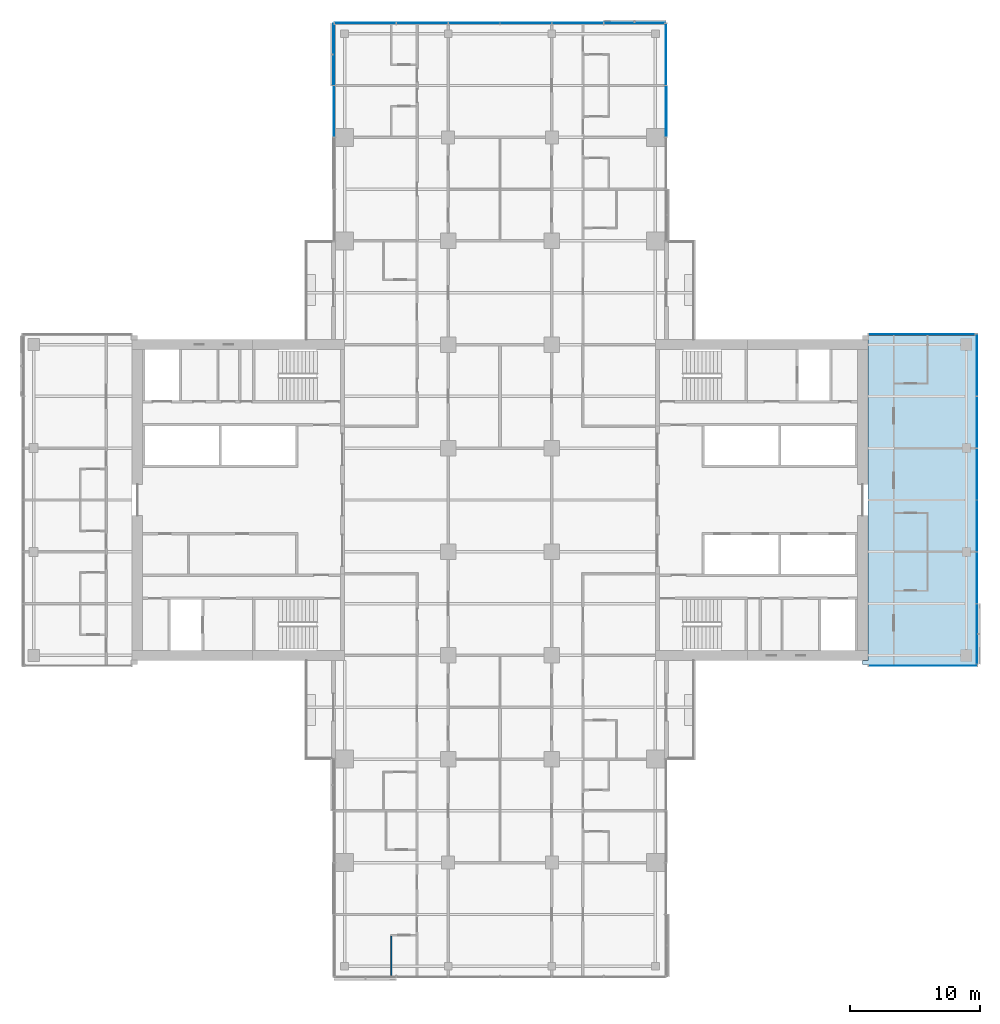
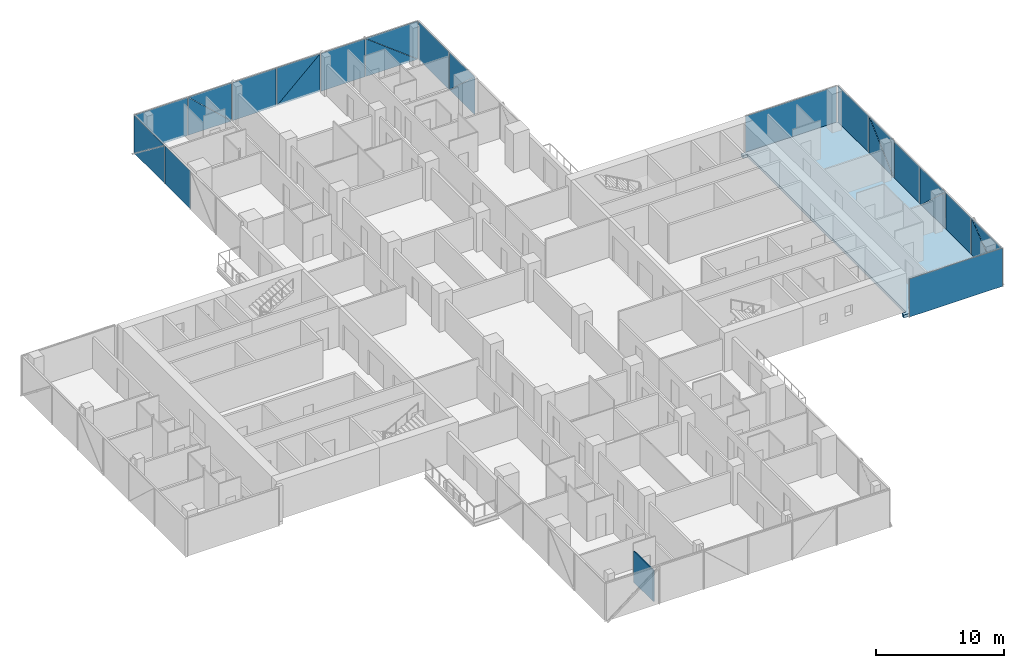
# One storey, part 14 of 27: 26 plates, 1 slab, 1 wall, 6 elements without a shape of their own.
"""IFC4 building model written with IfcOpenShell, lengths in metres."""

from ifc_helpers import new_model, si_unit, direction, frame, frame_2d, origin, place, context, subcontext, project, spatial, polyline, rectangle, outline, extrude, material, layer, layer_set, type_object, element, aggregate, save


model = new_model("IFC4")

# Units and contexts
model_context = context("Model", 3, precision=1e-05, world=origin(), true_north=direction((0.0, 1.0)))
body_context = subcontext(model_context, "Body", "Model", "MODEL_VIEW")
ifc_project = project(units=[si_unit("LENGTHUNIT", "METRE"), si_unit("AREAUNIT", "SQUARE_METRE"), si_unit("VOLUMEUNIT", "CUBIC_METRE"), si_unit("PLANEANGLEUNIT", "RADIAN"), si_unit("MASSUNIT", "GRAM", prefix="KILO")], contexts=[model_context])

# Site, building, storey
site_placement = place(None, origin())
site = spatial("IfcSite", under=ifc_project, at=site_placement, CompositionType="ELEMENT")
building_placement = place(site_placement, origin())
building = spatial("IfcBuilding", under=site, at=building_placement, Name="Crosswind Convention Tower", CompositionType="ELEMENT")
storey_placement = place(building_placement, frame((0.0, 0.0, 79.39990234375)))
storey = spatial("IfcBuildingStorey", under=building, at=storey_placement, Name="L14", CompositionType="ELEMENT", Elevation=79.39990234375)

# Slab
ifc_material_1 = material(Name="Concrete C40/50", Category="concrete")
ifc_layer_1 = layer(ifc_material_1, 0.280029296875)
ifc_layer_set_1 = layer_set([ifc_layer_1], Name="Concrete C40/50")
slab_type = type_object("IfcSlabType", Name="Composite floor slab 280", PredefinedType="FLOOR", material=ifc_layer_set_1)
slab_placement = place(storey_placement, frame((0.0, 0.0, -0.27978515625)))
element("IfcSlab", 1, at=slab_placement, inside=storey, type_object=slab_type, Name="Floor slab L14 part 3", PredefinedType="FLOOR", context=body_context, shape_type="SweptSolid", body=[
    extrude(outline(polyline([(153.0, 112.699951171875), (161.0, 112.699951171875), (161.699951171875, 112.699951171875), (161.699951171875, 112.0), (161.699951171875, 88.0), (161.699951171875, 87.300048828125), (161.0, 87.300048828125), (153.0, 87.300048828125), (153.0, 87.60009765625), (153.39990234375, 87.60009765625), (153.39990234375, 112.39990234375), (153.0, 112.39990234375), (153.0, 112.699951171875)])), origin(), (0.0, 0.0, 1.0), 0.27978515625),
])

# Curtain wall, plate
ifc_material_2 = material(Name="Aluminium unitised curtain wall", Category="aluminium")
curtain_wall_type_1 = type_object("IfcCurtainWallType", Name="CORE END SLOT WALL 160", PredefinedType="USERDEFINED", material=ifc_material_2)
curtain_wall_1_placement = place(storey_placement, origin())
curtain_wall_1 = element("IfcCurtainWall", 2, at=curtain_wall_1_placement, inside=storey, type_object=curtain_wall_type_1, Name="CW6 L14 E-N.1-1 slot", ObjectType="UNITISED", PredefinedType="USERDEFINED")
ifc_material_3 = material(Name="Laminated insulating glass unit", Category="glass")
ifc_layer_2 = layer(ifc_material_3, 0.02587890625)
ifc_layer_set_2 = layer_set([ifc_layer_2], Name="TRIANGULAR GLASS PANEL 26")
plate_type_1 = type_object("IfcPlateType", Name="TRIANGULAR GLASS PANEL 26", PredefinedType="CURTAIN_PANEL", material=ifc_layer_set_2)
plate_1_placement = place(storey_placement, frame((161.64990234375, 112.806640625, -0.27978515625), z_axis=(0.0, 0.999999919464, 0.00040133776), x_axis=(-1.0, 0.0, 0.0)))
plate_1 = element("IfcPlate", 3, at=plate_1_placement, type_object=plate_type_1, Name="CW6 panel 1.1", PredefinedType="CURTAIN_PANEL", context=body_context, shape_type="SweptSolid", body=[
    extrude(outline(polyline([(0.0, 0.0), (8.199951171875, 0.0), (8.199951171875, 3.6499026376985664), (0.0, 3.6499026376985664), (0.0, 0.0)])), origin(), (0.0, 0.0, -1.0), 0.02587890625),
])
aggregate(curtain_wall_1, [plate_1])

curtain_wall_2_placement = place(storey_placement, origin())
curtain_wall_2 = element("IfcCurtainWall", 4, at=curtain_wall_2_placement, inside=storey, type_object=curtain_wall_type_1, Name="CW6 L14 E-S.2-1 slot", ObjectType="UNITISED", PredefinedType="USERDEFINED")
plate_2_placement = place(storey_placement, frame((153.449951171875, 87.193359375, -0.27978515625), z_axis=(0.0, -0.999999919464, 0.00040133776), x_axis=(1.0, 0.0, 0.0)))
plate_2 = element("IfcPlate", 5, at=plate_2_placement, type_object=plate_type_1, Name="CW6 panel 1.1", PredefinedType="CURTAIN_PANEL", context=body_context, shape_type="SweptSolid", body=[
    extrude(outline(polyline([(0.0, 0.0), (8.400146484375, 0.0), (8.400146484375, 3.649902637698567), (0.0, 3.649902637698567), (0.0, 0.0)])), origin(), (0.0, 0.0, -1.0), 0.02587890625),
])
aggregate(curtain_wall_2, [plate_2])

# Curtain wall, plates
curtain_wall_type_2 = type_object("IfcCurtainWallType", Name="HOTEL UNITISED WALL 200", PredefinedType="USERDEFINED", material=ifc_material_2)
curtain_wall_3_placement = place(storey_placement, origin())
curtain_wall_3 = element("IfcCurtainWall", 6, at=curtain_wall_3_placement, inside=storey, type_object=curtain_wall_type_2, Name="CW2 L14 E-TIP 1", ObjectType="UNITISED", PredefinedType="USERDEFINED")
ifc_layer_3 = layer(ifc_material_3, 0.028076171875)
ifc_layer_set_3 = layer_set([ifc_layer_3], Name="TRIANGULAR GLASS PANEL 28")
plate_type_2 = type_object("IfcPlateType", Name="TRIANGULAR GLASS PANEL 28", PredefinedType="CURTAIN_PANEL", material=ifc_layer_set_3)
plate_3_placement = place(storey_placement, frame((161.82861328125, 91.967529296875, -0.27978515625), z_axis=(0.999999943209, 0.0, 0.000337018045), x_axis=(-0.000337018045, 0.0, 0.999999943209)))
plate_3 = element("IfcPlate", 7, at=plate_3_placement, type_object=plate_type_2, Name="CW2 panel 1.1", PredefinedType="CURTAIN_PANEL", context=body_context, shape_type="SweptSolid", body=[
    extrude(outline(polyline([(0.0, 0.0), (3.622070518199496, 0.0), (0.0, 4.58642578125), (0.0, 0.0)])), origin(), (0.0, 0.0, -1.0), 0.028076171875),
])
plate_4_placement = place(storey_placement, frame((161.857177734375, 87.364990234375, 3.35498046875), z_axis=(0.999999918222, 0.0, 0.000404421644), x_axis=(0.000404421644, 0.0, -0.999999918222)))
plate_4 = element("IfcPlate", 8, at=plate_4_placement, type_object=plate_type_2, Name="CW2 panel 1.2", PredefinedType="CURTAIN_PANEL", context=body_context, shape_type="SweptSolid", body=[
    extrude(outline(polyline([(0.0, 0.0), (3.6220706087072707, 0.0), (0.0, 4.586425781249999), (0.0, 0.0)])), origin(), (0.0, 0.0, -1.0), 0.028076171875),
])
plate_5_placement = place(storey_placement, frame((161.82861328125, 92.032470703125, -0.27978515625), z_axis=(0.999999943605, 0.0, 0.000335840927), x_axis=(0.0, 1.0, 0.0)))
plate_5 = element("IfcPlate", 9, at=plate_5_placement, type_object=plate_type_2, Name="CW2 panel 2.1", PredefinedType="CURTAIN_PANEL", context=body_context, shape_type="SweptSolid", body=[
    extrude(outline(polyline([(0.0, 0.0), (3.93505859375, 0.0), (3.93505859375, 3.63476582998104), (0.0, 3.63476582998104), (0.0, 0.0)])), origin(), (0.0, 0.0, -1.0), 0.028076171875),
])
plate_6_placement = place(storey_placement, frame((161.827392578125, 99.967529296875, 3.35498046875), z_axis=(0.999999943186, 0.0, 0.000337086208), x_axis=(0.0, -1.0, 0.0)))
plate_6 = element("IfcPlate", 10, at=plate_6_placement, type_object=plate_type_2, Name="CW2 panel 3.1", PredefinedType="CURTAIN_PANEL", context=body_context, shape_type="SweptSolid", body=[
    extrude(outline(polyline([(0.0, 0.0), (3.92041015625, 0.0), (0.0, 3.6213380963660997), (0.0, 0.0)])), origin(), (0.0, 0.0, -1.0), 0.028076171875),
])
plate_7_placement = place(storey_placement, frame((161.858642578125, 96.032470703125, -0.27978515625), z_axis=(0.999999918188, 0.0, 0.000404503439), x_axis=(0.0, 1.0, 0.0)))
plate_7 = element("IfcPlate", 11, at=plate_7_placement, type_object=plate_type_2, Name="CW2 panel 3.2", PredefinedType="CURTAIN_PANEL", context=body_context, shape_type="SweptSolid", body=[
    extrude(outline(polyline([(0.0, 0.0), (3.92041015625, 0.0), (0.0, 3.6213381868921792), (0.0, 0.0)])), origin(), (0.0, 0.0, -1.0), 0.028076171875),
])
plate_8_placement = place(storey_placement, frame((161.82861328125, 100.032470703125, -0.27978515625), z_axis=(0.999999943605, 0.0, 0.000335840927), x_axis=(0.0, 1.0, 0.0)))
plate_8 = element("IfcPlate", 12, at=plate_8_placement, type_object=plate_type_2, Name="CW2 panel 4.1", PredefinedType="CURTAIN_PANEL", context=body_context, shape_type="SweptSolid", body=[
    extrude(outline(polyline([(0.0, 0.0), (3.93505859375, 0.0), (3.93505859375, 3.63476582998104), (0.0, 3.63476582998104), (0.0, 0.0)])), origin(), (0.0, 0.0, -1.0), 0.028076171875),
])
plate_9_placement = place(storey_placement, frame((161.82861328125, 107.967529296875, -0.27978515625), z_axis=(0.999999943186, 0.0, 0.000337086208), x_axis=(-0.000337086208, 0.0, 0.999999943186)))
plate_9 = element("IfcPlate", 13, at=plate_9_placement, type_object=plate_type_2, Name="CW2 panel 5.1", PredefinedType="CURTAIN_PANEL", context=body_context, shape_type="SweptSolid", body=[
    extrude(outline(polyline([(0.0, 0.0), (3.6213380963660997, 0.0), (0.0, 3.920410156250001), (0.0, 0.0)])), origin(), (0.0, 0.0, -1.0), 0.028076171875),
])
plate_10_placement = place(storey_placement, frame((161.857177734375, 104.032470703125, 3.35498046875), z_axis=(0.999999918188, 0.0, 0.000404503439), x_axis=(0.000404503439, 0.0, -0.999999918188)))
plate_10 = element("IfcPlate", 14, at=plate_10_placement, type_object=plate_type_2, Name="CW2 panel 5.2", PredefinedType="CURTAIN_PANEL", context=body_context, shape_type="SweptSolid", body=[
    extrude(outline(polyline([(0.0, 0.0), (3.6213381868921797, 0.0), (0.0, 3.92041015625), (0.0, 0.0)])), origin(), (0.0, 0.0, -1.0), 0.028076171875),
])
plate_11_placement = place(storey_placement, frame((161.82861328125, 108.032470703125, -0.27978515625), z_axis=(0.999999943605, 0.0, 0.000335840927), x_axis=(0.0, 1.0, 0.0)))
plate_11 = element("IfcPlate", 15, at=plate_11_placement, type_object=plate_type_2, Name="CW2 panel 6.1", PredefinedType="CURTAIN_PANEL", context=body_context, shape_type="SweptSolid", body=[
    extrude(outline(polyline([(0.0, 0.0), (4.762451171875, 0.0), (4.762451171875, 3.63476582998104), (0.0, 3.63476582998104), (0.0, 0.0)])), origin(), (0.0, 0.0, -1.0), 0.028076171875),
])
aggregate(curtain_wall_3, [plate_3, plate_4, plate_5, plate_6, plate_7, plate_8, plate_9, plate_10, plate_11])

curtain_wall_4_placement = place(storey_placement, origin())
curtain_wall_4 = element("IfcCurtainWall", 16, at=curtain_wall_4_placement, inside=storey, type_object=curtain_wall_type_2, Name="CW2 L14 N-E 1", ObjectType="UNITISED", PredefinedType="USERDEFINED")
plate_12_placement = place(storey_placement, frame((137.827392578125, 131.967529296875, 3.35498046875), z_axis=(0.999999943186, 0.0, 0.000337086208), x_axis=(0.0, -1.0, 0.0)))
plate_12 = element("IfcPlate", 17, at=plate_12_placement, type_object=plate_type_2, Name="CW2 panel 3.1", PredefinedType="CURTAIN_PANEL", context=body_context, shape_type="SweptSolid", body=[
    extrude(outline(polyline([(0.0, 0.0), (3.92041015625, 0.0), (0.0, 3.6213380963660997), (0.0, 0.0)])), origin(), (0.0, 0.0, -1.0), 0.028076171875),
])
plate_13_placement = place(storey_placement, frame((137.858642578125, 128.032470703125, -0.27978515625), z_axis=(0.999999918188, 0.0, 0.000404503439), x_axis=(0.0, 1.0, 0.0)))
plate_13 = element("IfcPlate", 18, at=plate_13_placement, type_object=plate_type_2, Name="CW2 panel 3.2", PredefinedType="CURTAIN_PANEL", context=body_context, shape_type="SweptSolid", body=[
    extrude(outline(polyline([(0.0, 0.0), (3.92041015625, 0.0), (0.0, 3.6213381868921792), (0.0, 0.0)])), origin(), (0.0, 0.0, -1.0), 0.028076171875),
])
plate_14_placement = place(storey_placement, frame((137.82861328125, 132.032470703125, -0.27978515625), z_axis=(0.999999943605, 0.0, 0.000335840927), x_axis=(0.0, 1.0, 0.0)))
plate_14 = element("IfcPlate", 19, at=plate_14_placement, type_object=plate_type_2, Name="CW2 panel 4.1", PredefinedType="CURTAIN_PANEL", context=body_context, shape_type="SweptSolid", body=[
    extrude(outline(polyline([(0.0, 0.0), (4.735107421875, 0.0), (4.735107421875, 3.63476582998104), (0.0, 3.63476582998104), (0.0, 0.0)])), origin(), (0.0, 0.0, -1.0), 0.028076171875),
])
aggregate(curtain_wall_4, [plate_12, plate_13, plate_14])

curtain_wall_5_placement = place(storey_placement, origin())
curtain_wall_5 = element("IfcCurtainWall", 20, at=curtain_wall_5_placement, inside=storey, type_object=curtain_wall_type_2, Name="CW2 L14 N-TIP 1", ObjectType="UNITISED", PredefinedType="USERDEFINED")
plate_15_placement = place(storey_placement, frame((133.032470703125, 136.82861328125, -0.27978515625), z_axis=(0.0, 0.999999943217, 0.00033699533), x_axis=(0.0, -0.00033699533, 0.999999943217)))
plate_15 = element("IfcPlate", 21, at=plate_15_placement, type_object=plate_type_2, Name="CW2 panel 1.1", PredefinedType="CURTAIN_PANEL", context=body_context, shape_type="SweptSolid", body=[
    extrude(outline(polyline([(0.0, 0.0), (3.6223146588106325, 0.0), (0.0, 4.718505859374999), (0.0, 0.0)])), origin(), (0.0, 0.0, -1.0), 0.028076171875),
])
plate_16_placement = place(storey_placement, frame((137.767578125, 136.857177734375, 3.35498046875), z_axis=(0.0, 0.999999918233, 0.000404394386), x_axis=(0.0, 0.000404394386, -0.999999918233)))
plate_16 = element("IfcPlate", 22, at=plate_16_placement, type_object=plate_type_2, Name="CW2 panel 1.2", PredefinedType="CURTAIN_PANEL", context=body_context, shape_type="SweptSolid", body=[
    extrude(outline(polyline([(0.0, 0.0), (3.6223147493123067, 0.0), (0.0, 4.71875), (0.0, 0.0)])), origin(), (0.0, 0.0, -1.0), 0.028076171875),
])
plate_17_placement = place(storey_placement, frame((132.967529296875, 136.82861328125, -0.27978515625), z_axis=(0.0, 0.999999943605, 0.000335840927), x_axis=(-1.0, 0.0, 0.0)))
plate_17 = element("IfcPlate", 23, at=plate_17_placement, type_object=plate_type_2, Name="CW2 panel 2.1", PredefinedType="CURTAIN_PANEL", context=body_context, shape_type="SweptSolid", body=[
    extrude(outline(polyline([(0.0, 0.0), (3.93505859375, 0.0), (3.93505859375, 3.63476582998104), (0.0, 3.63476582998104), (0.0, 0.0)])), origin(), (0.0, 0.0, -1.0), 0.028076171875),
])
plate_18_placement = place(storey_placement, frame((125.032470703125, 136.827392578125, 3.35498046875), z_axis=(0.0, 0.999999943186, 0.000337086208), x_axis=(1.0, 0.0, 0.0)))
plate_18 = element("IfcPlate", 24, at=plate_18_placement, type_object=plate_type_2, Name="CW2 panel 3.1", PredefinedType="CURTAIN_PANEL", context=body_context, shape_type="SweptSolid", body=[
    extrude(outline(polyline([(0.0, 0.0), (3.92041015625, 0.0), (0.0, 3.6213380963660997), (0.0, 0.0)])), origin(), (0.0, 0.0, -1.0), 0.028076171875),
])
plate_19_placement = place(storey_placement, frame((128.967529296875, 136.858642578125, -0.27978515625), z_axis=(0.0, 0.999999918188, 0.000404503439), x_axis=(-1.0, 0.0, 0.0)))
plate_19 = element("IfcPlate", 25, at=plate_19_placement, type_object=plate_type_2, Name="CW2 panel 3.2", PredefinedType="CURTAIN_PANEL", context=body_context, shape_type="SweptSolid", body=[
    extrude(outline(polyline([(0.0, 0.0), (3.92041015625, 0.0), (0.0, 3.6213381868921792), (0.0, 0.0)])), origin(), (0.0, 0.0, -1.0), 0.028076171875),
])
plate_20_placement = place(storey_placement, frame((124.967529296875, 136.82861328125, -0.27978515625), z_axis=(0.0, 0.999999943605, 0.000335840927), x_axis=(-1.0, 0.0, 0.0)))
plate_20 = element("IfcPlate", 26, at=plate_20_placement, type_object=plate_type_2, Name="CW2 panel 4.1", PredefinedType="CURTAIN_PANEL", context=body_context, shape_type="SweptSolid", body=[
    extrude(outline(polyline([(0.0, 0.0), (3.93505859375, 0.0), (3.93505859375, 3.63476582998104), (0.0, 3.63476582998104), (0.0, 0.0)])), origin(), (0.0, 0.0, -1.0), 0.028076171875),
])
plate_21_placement = place(storey_placement, frame((117.032470703125, 136.82861328125, -0.27978515625), z_axis=(0.0, 0.999999943186, 0.000337086208), x_axis=(0.0, -0.000337086208, 0.999999943186)))
plate_21 = element("IfcPlate", 27, at=plate_21_placement, type_object=plate_type_2, Name="CW2 panel 5.1", PredefinedType="CURTAIN_PANEL", context=body_context, shape_type="SweptSolid", body=[
    extrude(outline(polyline([(0.0, 0.0), (3.6213380963660997, 0.0), (0.0, 3.920410156250001), (0.0, 0.0)])), origin(), (0.0, 0.0, -1.0), 0.028076171875),
])
plate_22_placement = place(storey_placement, frame((120.967529296875, 136.857177734375, 3.35498046875), z_axis=(0.0, 0.999999918188, 0.000404503439), x_axis=(0.0, 0.000404503439, -0.999999918188)))
plate_22 = element("IfcPlate", 28, at=plate_22_placement, type_object=plate_type_2, Name="CW2 panel 5.2", PredefinedType="CURTAIN_PANEL", context=body_context, shape_type="SweptSolid", body=[
    extrude(outline(polyline([(0.0, 0.0), (3.6213381868921797, 0.0), (0.0, 3.92041015625), (0.0, 0.0)])), origin(), (0.0, 0.0, -1.0), 0.028076171875),
])
plate_23_placement = place(storey_placement, frame((116.967529296875, 136.82861328125, -0.27978515625), z_axis=(0.0, 0.999999943605, 0.000335840927), x_axis=(-1.0, 0.0, 0.0)))
plate_23 = element("IfcPlate", 29, at=plate_23_placement, type_object=plate_type_2, Name="CW2 panel 6.1", PredefinedType="CURTAIN_PANEL", context=body_context, shape_type="SweptSolid", body=[
    extrude(outline(polyline([(0.0, 0.0), (4.735107421875, 0.0), (4.735107421875, 3.63476582998104), (0.0, 3.63476582998104), (0.0, 0.0)])), origin(), (0.0, 0.0, -1.0), 0.028076171875),
])
aggregate(curtain_wall_5, [plate_15, plate_16, plate_17, plate_18, plate_19, plate_20, plate_21, plate_22, plate_23])

curtain_wall_6_placement = place(storey_placement, origin())
curtain_wall_6 = element("IfcCurtainWall", 30, at=curtain_wall_6_placement, inside=storey, type_object=curtain_wall_type_2, Name="CW2 L14 N-W 1", ObjectType="UNITISED", PredefinedType="USERDEFINED")
plate_24_placement = place(storey_placement, frame((112.17138671875, 132.032470703125, -0.27978515625), z_axis=(-0.999999943217, 0.0, 0.00033699533), x_axis=(0.00033699533, 0.0, 0.999999943217)))
plate_24 = element("IfcPlate", 31, at=plate_24_placement, type_object=plate_type_2, Name="CW2 panel 1.1", PredefinedType="CURTAIN_PANEL", context=body_context, shape_type="SweptSolid", body=[
    extrude(outline(polyline([(0.0, 0.0), (3.6223146588106325, 0.0), (0.0, 4.718505859374999), (0.0, 0.0)])), origin(), (0.0, 0.0, -1.0), 0.028076171875),
])
plate_25_placement = place(storey_placement, frame((112.142822265625, 136.767578125, 3.35498046875), z_axis=(-0.999999918233, 0.0, 0.000404394386), x_axis=(-0.000404394386, 0.0, -0.999999918233)))
plate_25 = element("IfcPlate", 32, at=plate_25_placement, type_object=plate_type_2, Name="CW2 panel 1.2", PredefinedType="CURTAIN_PANEL", context=body_context, shape_type="SweptSolid", body=[
    extrude(outline(polyline([(0.0, 0.0), (3.6223147493123067, 0.0), (0.0, 4.71875), (0.0, 0.0)])), origin(), (0.0, 0.0, -1.0), 0.028076171875),
])
plate_26_placement = place(storey_placement, frame((112.17138671875, 131.967529296875, -0.27978515625), z_axis=(-0.999999943605, 0.0, 0.000335840927), x_axis=(0.0, -1.0, 0.0)))
plate_26 = element("IfcPlate", 33, at=plate_26_placement, type_object=plate_type_2, Name="CW2 panel 2.1", PredefinedType="CURTAIN_PANEL", context=body_context, shape_type="SweptSolid", body=[
    extrude(outline(polyline([(0.0, 0.0), (3.93505859375, 0.0), (3.93505859375, 3.63476582998104), (0.0, 3.63476582998104), (0.0, 0.0)])), origin(), (0.0, 0.0, -1.0), 0.028076171875),
])
aggregate(curtain_wall_6, [plate_24, plate_25, plate_26])

# Wall
ifc_material_4 = material(Name="Water-resistant plasterboard partition", Category="gypsum")
ifc_layer_4 = layer(ifc_material_4, 0.10009765625)
ifc_layer_set_4 = layer_set([ifc_layer_4], Name="WET ROOM PARTITION 100")
wall_type = type_object("IfcWallType", Name="WET ROOM PARTITION 100", PredefinedType="PLUMBINGWALL", material=ifc_layer_set_4)
wall_placement = place(storey_placement, frame((116.60009765625, 63.300048828125, 0.0), z_axis=(0.0, 0.0, 1.0), x_axis=(0.0, 1.0, 0.0)))
element("IfcWall", 34, at=wall_placement, inside=storey, type_object=wall_type, Name="Wet Room Partition 70", PredefinedType="PLUMBINGWALL", context=body_context, shape_type="SweptSolid", body=[
    extrude(rectangle(XDim=3.050048828125, YDim=0.10009765625, at=frame_2d((1.52490234375, 0.0))), origin(), (0.0, 0.0, 1.0), 2.962890625),
])

save(model, "model.ifc")
